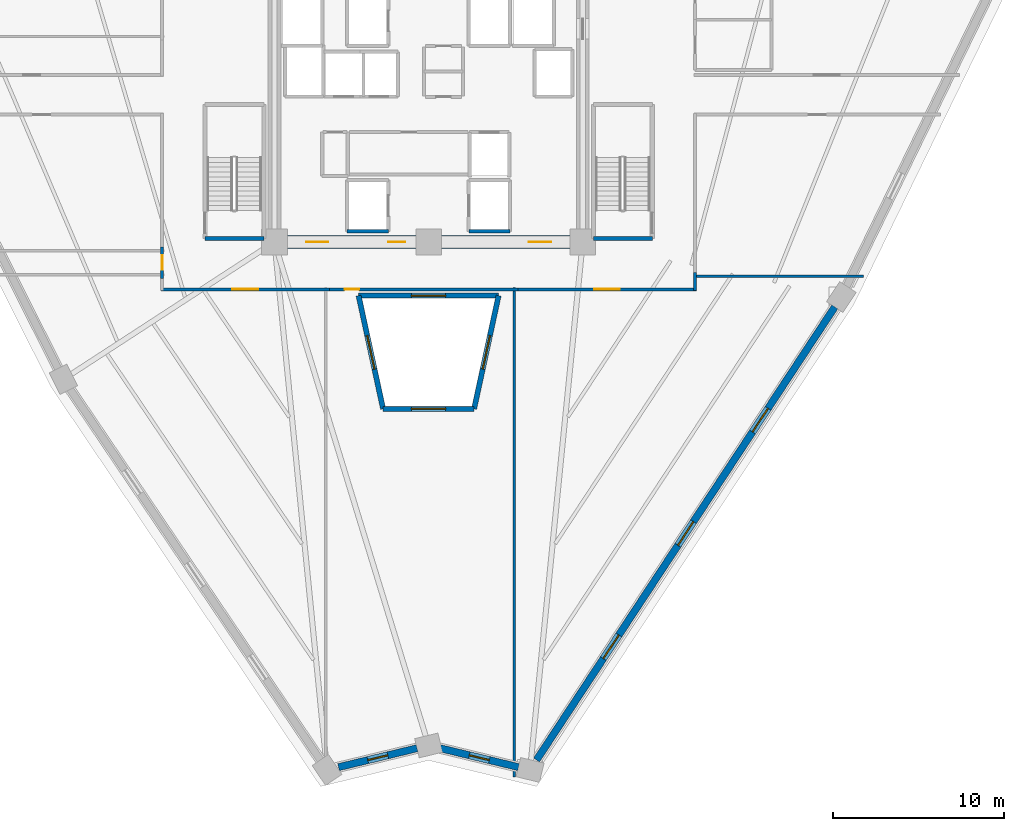
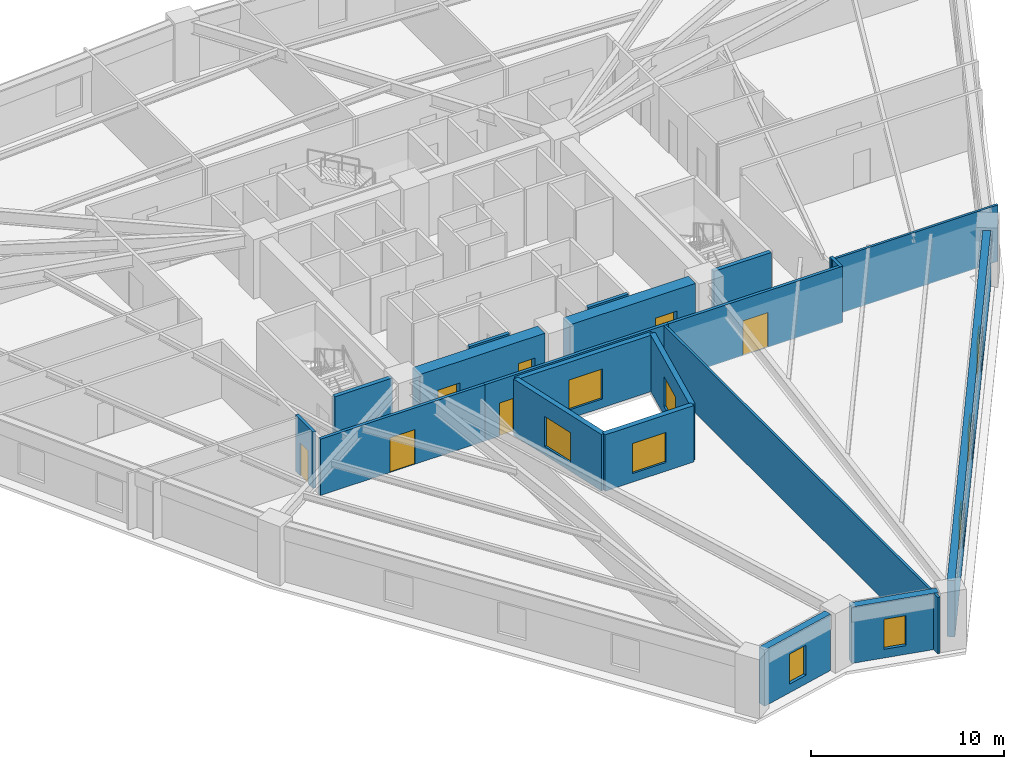
# One storey, part 3 of 10: 20 walls, 9 windows, 7 doors, 16 openings.
"""IFC4 building model written with IfcOpenShell, lengths in metres."""

from ifc_helpers import new_model, si_unit, direction, frame, frame_2d, origin, place, context, subcontext, project, spatial, rectangle, extrude, source, transform, mapped, material, layer, layer_set, type_object, element, fill, save


model = new_model("IFC4")

# Units and contexts
model_context = context("Model", 3, precision=1e-05, world=origin(), true_north=direction((0.0, 1.0)))
body_context = subcontext(model_context, "Body", "Model", "MODEL_VIEW")
ifc_project = project(units=[si_unit("LENGTHUNIT", "METRE"), si_unit("AREAUNIT", "SQUARE_METRE"), si_unit("VOLUMEUNIT", "CUBIC_METRE"), si_unit("PLANEANGLEUNIT", "RADIAN"), si_unit("MASSUNIT", "GRAM", prefix="KILO")], contexts=[model_context])

# Site, building, storey
site_placement = place(None, origin())
site = spatial("IfcSite", under=ifc_project, at=site_placement, CompositionType="ELEMENT")
building_placement = place(site_placement, origin())
building = spatial("IfcBuilding", under=site, at=building_placement, Name="Liaohun Quay Tower", CompositionType="ELEMENT")
storey_placement = place(building_placement, frame((0.0, 0.0, 124.5)))
storey = spatial("IfcBuildingStorey", under=building, at=storey_placement, Name="L32", CompositionType="ELEMENT", Elevation=124.5)

# Wall, opening, window
ifc_material_1 = material(Name="Concrete C50", Category="concrete")
ifc_layer_1 = layer(ifc_material_1, 0.300048828125, Name="Concrete C50", Category="concrete")
ifc_layer_set_1 = layer_set([ifc_layer_1], Name="Concrete C50")
wall_type_1 = type_object("IfcWallType", Name="WAL-ATR-300", PredefinedType="SOLIDWALL", material=ifc_layer_set_1)
wall_1_placement = place(storey_placement, frame((57.343017578125, 36.75390625, 0.0), z_axis=(0.0, 0.0, 1.0), x_axis=(-0.21138587267, 0.977402687144, 0.0)))
wall_1 = element("IfcWall", 1, at=wall_1_placement, inside=storey, type_object=wall_type_1, Name="L32 Atrium Fire Compartment Wall 1", PredefinedType="SOLIDWALL", context=body_context, shape_type="SweptSolid", body=[
    extrude(rectangle(XDim=6.769287109375, YDim=0.300048828125, at=frame_2d((3.384765625, 0.0))), origin(), (0.0, 0.0, 1.0), 3.570068359375),
])
shared_shape_1 = source(origin(), body_context, "Body", "SweptSolid", [
    extrude(rectangle(XDim=2.0, YDim=1.89990234375, at=frame_2d((1.0, 0.949951171875))), frame((0.0, 0.159912109375, 0.0), z_axis=(0.0, -1.0, 0.0), x_axis=(1.0, 0.0, 0.0)), (0.0, 0.0, 1.0), 0.320068359375),
])
opening_1_placement = place(wall_1_placement, frame((2.384033203125, 0.0, 0.550048828125)))
opening_1 = element("IfcOpeningElement", 2, at=opening_1_placement, cuts=wall_1, Name="Opening W07", PredefinedType="OPENING", context=body_context, shape_type="MappedRepresentation", body=[
    mapped(shared_shape_1, transform((0.0, 0.0, 0.0), x_axis=(1.0, 0.0, 0.0), y_axis=(0.0, 1.0, 0.0), z_axis=(0.0, 0.0, 1.0), scale=1.0)),
])
ifc_material_2 = material(Name="Class A 180-min fire-resistant insulated glazing", Category="glass")
window_type_1 = type_object("IfcWindowType", Name="WIN-ATR-FIR", PartitioningType="DOUBLE_PANEL_VERTICAL", PredefinedType="WINDOW", material=ifc_material_2)
shared_shape_2 = source(origin(), body_context, "Body", "SweptSolid", [
    extrude(rectangle(XDim=2.0, YDim=1.89990234375, at=frame_2d((1.0, 0.949951171875))), frame((0.0, 0.030029296875, 0.0), z_axis=(0.0, -1.0, 0.0), x_axis=(1.0, 0.0, 0.0)), (0.0, 0.0, 1.0), 0.06005859375),
])
window_1_placement = place(opening_1_placement, origin())
window_1 = element("IfcWindow", 3, at=window_1_placement, inside=storey, type_object=window_type_1, Name="L32 Atrium Fire-Resistant Glazing W07-1", OverallHeight=1.89990234375, OverallWidth=2.0, PartitioningType="DOUBLE_PANEL_VERTICAL", PredefinedType="WINDOW", context=body_context, shape_type="MappedRepresentation", body=[
    mapped(shared_shape_2, transform((0.0, 0.0, 0.0), x_axis=(1.0, 0.0, 0.0), y_axis=(0.0, 1.0, 0.0), z_axis=(0.0, 0.0, 1.0), scale=1.0)),
])
fill(opening_1, window_1)

wall_2_placement = place(storey_placement, frame((55.912109375, 43.3701171875, 0.0), z_axis=(0.0, 0.0, 1.0), x_axis=(1.0, 0.0, 0.0)))
wall_2 = element("IfcWall", 4, at=wall_2_placement, inside=storey, type_object=wall_type_1, Name="L32 Atrium Fire Compartment Wall 2", PredefinedType="SOLIDWALL", context=body_context, shape_type="SweptSolid", body=[
    extrude(rectangle(XDim=8.17578125, YDim=0.300048828125, at=frame_2d((4.087890625, 0.0))), origin(), (0.0, 0.0, 1.0), 3.570068359375),
])
opening_2_placement = place(wall_2_placement, frame((3.087890625, 0.0, 0.550048828125)))
opening_2 = element("IfcOpeningElement", 5, at=opening_2_placement, cuts=wall_2, Name="Opening W07", PredefinedType="OPENING", context=body_context, shape_type="MappedRepresentation", body=[
    mapped(shared_shape_1, transform((0.0, 0.0, 0.0), x_axis=(1.0, 0.0, 0.0), y_axis=(0.0, 1.0, 0.0), z_axis=(0.0, 0.0, 1.0), scale=1.0)),
])
window_2_placement = place(opening_2_placement, origin())
window_2 = element("IfcWindow", 6, at=window_2_placement, inside=storey, type_object=window_type_1, Name="L32 Atrium Fire-Resistant Glazing W07-2", OverallHeight=1.89990234375, OverallWidth=2.0, PartitioningType="DOUBLE_PANEL_VERTICAL", PredefinedType="WINDOW", context=body_context, shape_type="MappedRepresentation", body=[
    mapped(shared_shape_2, transform((0.0, 0.0, 0.0), x_axis=(1.0, 0.0, 0.0), y_axis=(0.0, 1.0, 0.0), z_axis=(0.0, 0.0, 1.0), scale=1.0)),
])
fill(opening_2, window_2)

wall_3_placement = place(storey_placement, frame((64.087890625, 43.3701171875, 0.0), z_axis=(0.0, 0.0, 1.0), x_axis=(-0.21138587267, -0.977402687144, 0.0)))
wall_3 = element("IfcWall", 7, at=wall_3_placement, inside=storey, type_object=wall_type_1, Name="L32 Atrium Fire Compartment Wall 3", PredefinedType="SOLIDWALL", context=body_context, shape_type="SweptSolid", body=[
    extrude(rectangle(XDim=6.769287109375, YDim=0.300048828125, at=frame_2d((3.384765625, 0.0))), origin(), (0.0, 0.0, 1.0), 3.570068359375),
])
opening_3_placement = place(wall_3_placement, frame((2.384033203125, 0.0, 0.550048828125)))
opening_3 = element("IfcOpeningElement", 8, at=opening_3_placement, cuts=wall_3, Name="Opening W07", PredefinedType="OPENING", context=body_context, shape_type="MappedRepresentation", body=[
    mapped(shared_shape_1, transform((0.0, 0.0, 0.0), x_axis=(1.0, 0.0, 0.0), y_axis=(0.0, 1.0, 0.0), z_axis=(0.0, 0.0, 1.0), scale=1.0)),
])
window_3_placement = place(opening_3_placement, origin())
window_3 = element("IfcWindow", 9, at=window_3_placement, inside=storey, type_object=window_type_1, Name="L32 Atrium Fire-Resistant Glazing W07-3", OverallHeight=1.89990234375, OverallWidth=2.0, PartitioningType="DOUBLE_PANEL_VERTICAL", PredefinedType="WINDOW", context=body_context, shape_type="MappedRepresentation", body=[
    mapped(shared_shape_2, transform((0.0, 0.0, 0.0), x_axis=(1.0, 0.0, 0.0), y_axis=(0.0, 1.0, 0.0), z_axis=(0.0, 0.0, 1.0), scale=1.0)),
])
fill(opening_3, window_3)

wall_4_placement = place(storey_placement, frame((62.656982421875, 36.75390625, 0.0), z_axis=(0.0, 0.0, 1.0), x_axis=(-1.0, 0.0, 0.0)))
wall_4 = element("IfcWall", 10, at=wall_4_placement, inside=storey, type_object=wall_type_1, Name="L32 Atrium Fire Compartment Wall 4", PredefinedType="SOLIDWALL", context=body_context, shape_type="SweptSolid", body=[
    extrude(rectangle(XDim=5.31396484375, YDim=0.300048828125, at=frame_2d((2.656982421875, 0.0))), origin(), (0.0, 0.0, 1.0), 3.570068359375),
])
opening_4_placement = place(wall_4_placement, frame((1.656982421875, 0.0, 0.550048828125)))
opening_4 = element("IfcOpeningElement", 11, at=opening_4_placement, cuts=wall_4, Name="Opening W07", PredefinedType="OPENING", context=body_context, shape_type="MappedRepresentation", body=[
    mapped(shared_shape_1, transform((0.0, 0.0, 0.0), x_axis=(1.0, 0.0, 0.0), y_axis=(0.0, 1.0, 0.0), z_axis=(0.0, 0.0, 1.0), scale=1.0)),
])
window_4_placement = place(opening_4_placement, origin())
window_4 = element("IfcWindow", 12, at=window_4_placement, inside=storey, type_object=window_type_1, Name="L32 Atrium Fire-Resistant Glazing W07-4", OverallHeight=1.89990234375, OverallWidth=2.0, PartitioningType="DOUBLE_PANEL_VERTICAL", PredefinedType="WINDOW", context=body_context, shape_type="MappedRepresentation", body=[
    mapped(shared_shape_2, transform((0.0, 0.0, 0.0), x_axis=(1.0, 0.0, 0.0), y_axis=(0.0, 1.0, 0.0), z_axis=(0.0, 0.0, 1.0), scale=1.0)),
])
fill(opening_4, window_4)

# Wall, opening, door
ifc_material_3 = material(Name="Concrete C60", Category="concrete")
ifc_layer_2 = layer(ifc_material_3, 0.75, Name="Concrete C60", Category="concrete")
ifc_layer_set_2 = layer_set([ifc_layer_2], Name="Concrete C60")
wall_type_2 = type_object("IfcWallType", Name="WAL-COR-Z2", PredefinedType="SHEAR", material=ifc_layer_set_2)
wall_5_placement = place(storey_placement, frame((68.25, 46.5, 0.0), z_axis=(0.0, 0.0, 1.0), x_axis=(-1.0, 0.0, 0.0)))
wall_5 = element("IfcWall", 13, at=wall_5_placement, inside=storey, type_object=wall_type_2, Name="L32 Central Core Shear Wall S-E", PredefinedType="SHEAR", context=body_context, shape_type="SweptSolid", body=[
    extrude(rectangle(XDim=7.5, YDim=0.75, at=frame_2d((3.75, 0.0))), origin(), (0.0, 0.0, 1.0), 3.570068359375),
])
shared_shape_3 = source(origin(), body_context, "Body", "SweptSolid", [
    extrude(rectangle(XDim=1.300048828125, YDim=2.199951171875, at=frame_2d((0.64990234375, 1.10009765625))), frame((0.0, 0.385009765625, 0.0), z_axis=(0.0, -1.0, 0.0), x_axis=(1.0, 0.0, 0.0)), (0.0, 0.0, 1.0), 0.77001953125),
])
opening_5_placement = place(wall_5_placement, frame((1.10009765625, 0.0, 0.0)))
opening_5 = element("IfcOpeningElement", 14, at=opening_5_placement, cuts=wall_5, Name="Opening FD1", PredefinedType="OPENING", context=body_context, shape_type="MappedRepresentation", body=[
    mapped(shared_shape_3, transform((0.0, 0.0, 0.0), x_axis=(1.0, 0.0, 0.0), y_axis=(0.0, 1.0, 0.0), z_axis=(0.0, 0.0, 1.0), scale=1.0)),
])
ifc_material_4 = material(Name="Galvanised steel smokeproof fire door", Category="steel")
door_type_1 = type_object("IfcDoorType", Name="DOR-FFL-1300", OperationType="NOTDEFINED", PredefinedType="DOOR", material=ifc_material_4)
shared_shape_4 = source(origin(), body_context, "Body", "SweptSolid", [
    extrude(rectangle(XDim=1.300048828125, YDim=2.199951171875, at=frame_2d((0.64990234375, 1.10009765625))), frame((0.0, 0.02490234375, 0.0), z_axis=(0.0, -1.0, 0.0), x_axis=(1.0, 0.0, 0.0)), (0.0, 0.0, 1.0), 0.050048828125),
])
door_1_placement = place(opening_5_placement, origin())
door_1 = element("IfcDoor", 15, at=door_1_placement, inside=storey, type_object=door_type_1, Name="L32 East Core Lift Lobby Smokeproof Door", OperationType="SINGLE_SWING_LEFT", OverallHeight=2.199951171875, OverallWidth=1.300048828125, PredefinedType="DOOR", context=body_context, shape_type="MappedRepresentation", body=[
    mapped(shared_shape_4, transform((0.0, 0.0, 0.0), x_axis=(1.0, 0.0, 0.0), y_axis=(0.0, 1.0, 0.0), z_axis=(0.0, 0.0, 1.0), scale=1.0)),
])
fill(opening_5, door_1)

# Wall, openings, doors
wall_6_placement = place(storey_placement, frame((59.25, 46.5, 0.0), z_axis=(0.0, 0.0, 1.0), x_axis=(-1.0, 0.0, 0.0)))
wall_6 = element("IfcWall", 16, at=wall_6_placement, inside=storey, type_object=wall_type_2, Name="L32 Central Core Shear Wall S-W", PredefinedType="SHEAR", context=body_context, shape_type="SweptSolid", body=[
    extrude(rectangle(XDim=7.5, YDim=0.75, at=frame_2d((3.75, 0.0))), origin(), (0.0, 0.0, 1.0), 3.570068359375),
])
opening_6_placement = place(wall_6_placement, frame((5.10009765625, 0.0, 0.0)))
opening_6 = element("IfcOpeningElement", 17, at=opening_6_placement, cuts=wall_6, Name="Opening FD1", PredefinedType="OPENING", context=body_context, shape_type="MappedRepresentation", body=[
    mapped(shared_shape_3, transform((0.0, 0.0, 0.0), x_axis=(1.0, 0.0, 0.0), y_axis=(0.0, 1.0, 0.0), z_axis=(0.0, 0.0, 1.0), scale=1.0)),
])
shared_shape_5 = source(origin(), body_context, "Body", "SweptSolid", [
    extrude(rectangle(XDim=1.0, YDim=2.199951171875, at=frame_2d((0.5, 1.10009765625))), frame((0.0, 0.385009765625, 0.0), z_axis=(0.0, -1.0, 0.0), x_axis=(1.0, 0.0, 0.0)), (0.0, 0.0, 1.0), 0.77001953125),
])
opening_7_placement = place(wall_6_placement, frame((0.60009765625, 0.0, 0.0)))
opening_7 = element("IfcOpeningElement", 18, at=opening_7_placement, cuts=wall_6, Name="Opening FD2", PredefinedType="OPENING", context=body_context, shape_type="MappedRepresentation", body=[
    mapped(shared_shape_5, transform((0.0, 0.0, 0.0), x_axis=(1.0, 0.0, 0.0), y_axis=(0.0, 1.0, 0.0), z_axis=(0.0, 0.0, 1.0), scale=1.0)),
])
door_2_placement = place(opening_6_placement, origin())
door_2 = element("IfcDoor", 19, at=door_2_placement, inside=storey, type_object=door_type_1, Name="L32 West Core Lift Lobby Smokeproof Door", OperationType="SINGLE_SWING_RIGHT", OverallHeight=2.199951171875, OverallWidth=1.300048828125, PredefinedType="DOOR", context=body_context, shape_type="MappedRepresentation", body=[
    mapped(shared_shape_4, transform((0.0, 0.0, 0.0), x_axis=(1.0, 0.0, 0.0), y_axis=(0.0, 1.0, 0.0), z_axis=(0.0, 0.0, 1.0), scale=1.0)),
])
fill(opening_6, door_2)
ifc_material_5 = material(Name="Galvanised steel smokeproof lobby fire door", Category="steel")
door_type_2 = type_object("IfcDoorType", Name="DOR-FFL-1000", OperationType="NOTDEFINED", PredefinedType="DOOR", material=ifc_material_5)
shared_shape_6 = source(origin(), body_context, "Body", "SweptSolid", [
    extrude(rectangle(XDim=1.0, YDim=2.199951171875, at=frame_2d((0.5, 1.10009765625))), frame((0.0, 0.02490234375, 0.0), z_axis=(0.0, -1.0, 0.0), x_axis=(1.0, 0.0, 0.0)), (0.0, 0.0, 1.0), 0.050048828125),
])
door_3_placement = place(opening_7_placement, origin())
door_3 = element("IfcDoor", 20, at=door_3_placement, inside=storey, type_object=door_type_2, Name="L32 South Firefighting Lobby Smokeproof Door", OperationType="SINGLE_SWING_LEFT", OverallHeight=2.199951171875, OverallWidth=1.0, PredefinedType="DOOR", context=body_context, shape_type="MappedRepresentation", body=[
    mapped(shared_shape_6, transform((0.0, 0.0, 0.0), x_axis=(1.0, 0.0, 0.0), y_axis=(0.0, 1.0, 0.0), z_axis=(0.0, 0.0, 1.0), scale=1.0)),
])
fill(opening_7, door_3)

# Wall, opening, window
ifc_material_6 = material(Name="Precast concrete C50 insulated sandwich", Category="concrete")
ifc_layer_3 = layer(ifc_material_6, 0.419921875, Name="Precast concrete C50 insulated sandwich", Category="concrete")
ifc_layer_set_3 = layer_set([ifc_layer_3], Name="Precast concrete C50 insulated sandwich")
wall_type_3 = type_object("IfcWallType", Name="WAL-EXT-Z12", PredefinedType="SOLIDWALL", material=ifc_layer_set_3)
wall_7_placement = place(storey_placement, frame((60.6708984375, 16.945068359375, 0.0), z_axis=(0.0, 0.0, 1.0), x_axis=(0.972084652769, -0.234630406918, 0.0)))
wall_7 = element("IfcWall", 21, at=wall_7_placement, inside=storey, type_object=wall_type_3, Name="L32 Brutalist Precast Pier Wall 01", PredefinedType="SOLIDWALL", context=body_context, shape_type="SweptSolid", body=[
    extrude(rectangle(XDim=4.713623046875, YDim=0.419921875, at=frame_2d((2.35693359375, 0.0))), origin(), (0.0, 0.0, 1.0), 3.570068359375),
])
shared_shape_7 = source(origin(), body_context, "Body", "SweptSolid", [
    extrude(rectangle(XDim=1.199951171875, YDim=1.89990234375, at=frame_2d((0.60009765625, 0.949951171875))), frame((0.0, 0.219970703125, 0.0), z_axis=(0.0, -1.0, 0.0), x_axis=(1.0, 0.0, 0.0)), (0.0, 0.0, 1.0), 0.43994140625),
])
opening_8_placement = place(wall_7_placement, frame((1.757080078125, 0.0, 0.550048828125)))
opening_8 = element("IfcOpeningElement", 22, at=opening_8_placement, cuts=wall_7, Name="Opening W05", PredefinedType="OPENING", context=body_context, shape_type="MappedRepresentation", body=[
    mapped(shared_shape_7, transform((0.0, 0.0, 0.0), x_axis=(1.0, 0.0, 0.0), y_axis=(0.0, 1.0, 0.0), z_axis=(0.0, 0.0, 1.0), scale=1.0)),
])
ifc_material_7 = material(Name="Triple Low-E corner notch glazing", Category="glass")
window_type_2 = type_object("IfcWindowType", Name="WIN-NOTCH", PartitioningType="SINGLE_PANEL", PredefinedType="WINDOW", material=ifc_material_7)
shared_shape_8 = source(origin(), body_context, "Body", "SweptSolid", [
    extrude(rectangle(XDim=1.199951171875, YDim=1.89990234375, at=frame_2d((0.60009765625, 0.949951171875))), frame((0.0, 0.030029296875, 0.0), z_axis=(0.0, -1.0, 0.0), x_axis=(1.0, 0.0, 0.0)), (0.0, 0.0, 1.0), 0.06005859375),
])
window_5_placement = place(opening_8_placement, origin())
window_5 = element("IfcWindow", 23, at=window_5_placement, inside=storey, type_object=window_type_2, Name="L32 Corner Notch Window W05-01", OverallHeight=1.89990234375, OverallWidth=1.199951171875, PartitioningType="SINGLE_PANEL", PredefinedType="WINDOW", context=body_context, shape_type="MappedRepresentation", body=[
    mapped(shared_shape_8, transform((0.0, 0.0, 0.0), x_axis=(1.0, 0.0, 0.0), y_axis=(0.0, 1.0, 0.0), z_axis=(0.0, 0.0, 1.0), scale=1.0)),
])
fill(opening_8, window_5)

# Wall, openings, windows
wall_8_placement = place(storey_placement, frame((66.302978515625, 16.2529296875, 0.0), z_axis=(0.0, 0.0, 1.0), x_axis=(0.549799789037, 0.835296469509, 0.0)))
wall_8 = element("IfcWall", 24, at=wall_8_placement, inside=storey, type_object=wall_type_3, Name="L32 Brutalist Precast Pier Wall 02", PredefinedType="SOLIDWALL", context=body_context, shape_type="SweptSolid", body=[
    extrude(rectangle(XDim=31.6787109375, YDim=0.419921875, at=frame_2d((15.83935546875, 0.0))), origin(), (0.0, 0.0, 1.0), 3.570068359375),
])
shared_shape_9 = source(origin(), body_context, "Body", "SweptSolid", [
    extrude(rectangle(XDim=1.64990234375, YDim=1.949951171875, at=frame_2d((0.824951171875, 0.97509765625))), frame((0.0, 0.219970703125, 0.0), z_axis=(0.0, -1.0, 0.0), x_axis=(1.0, 0.0, 0.0)), (0.0, 0.0, 1.0), 0.43994140625),
])
opening_9_placement = place(wall_8_placement, frame((7.094970703125, 0.0, 0.550048828125)))
opening_9 = element("IfcOpeningElement", 25, at=opening_9_placement, cuts=wall_8, Name="Opening W02", PredefinedType="OPENING", context=body_context, shape_type="MappedRepresentation", body=[
    mapped(shared_shape_9, transform((0.0, 0.0, 0.0), x_axis=(1.0, 0.0, 0.0), y_axis=(0.0, 1.0, 0.0), z_axis=(0.0, 0.0, 1.0), scale=1.0)),
])
opening_10_placement = place(wall_8_placement, frame((15.013916015625, 0.0, 0.550048828125)))
opening_10 = element("IfcOpeningElement", 26, at=opening_10_placement, cuts=wall_8, Name="Opening W02", PredefinedType="OPENING", context=body_context, shape_type="MappedRepresentation", body=[
    mapped(shared_shape_9, transform((0.0, 0.0, 0.0), x_axis=(1.0, 0.0, 0.0), y_axis=(0.0, 1.0, 0.0), z_axis=(0.0, 0.0, 1.0), scale=1.0)),
])
opening_11_placement = place(wall_8_placement, frame((22.93408203125, 0.0, 0.550048828125)))
opening_11 = element("IfcOpeningElement", 27, at=opening_11_placement, cuts=wall_8, Name="Opening W02", PredefinedType="OPENING", context=body_context, shape_type="MappedRepresentation", body=[
    mapped(shared_shape_9, transform((0.0, 0.0, 0.0), x_axis=(1.0, 0.0, 0.0), y_axis=(0.0, 1.0, 0.0), z_axis=(0.0, 0.0, 1.0), scale=1.0)),
])
ifc_material_8 = material(Name="Triple Low-E argon glazing in thermally broken aluminium", Category="aluminium")
window_type_3 = type_object("IfcWindowType", Name="WIN-PUN-Z2", PartitioningType="DOUBLE_PANEL_VERTICAL", PredefinedType="WINDOW", material=ifc_material_8)
shared_shape_10 = source(origin(), body_context, "Body", "SweptSolid", [
    extrude(rectangle(XDim=1.64990234375, YDim=1.949951171875, at=frame_2d((0.824951171875, 0.97509765625))), frame((0.0, 0.030029296875, 0.0), z_axis=(0.0, -1.0, 0.0), x_axis=(1.0, 0.0, 0.0)), (0.0, 0.0, 1.0), 0.06005859375),
])
window_6_placement = place(opening_9_placement, origin())
window_6 = element("IfcWindow", 28, at=window_6_placement, inside=storey, type_object=window_type_3, Name="L32 Recessed Cold-Climate Punched Window 02-1", OverallHeight=1.949951171875, OverallWidth=1.64990234375, PartitioningType="DOUBLE_PANEL_VERTICAL", PredefinedType="WINDOW", context=body_context, shape_type="MappedRepresentation", body=[
    mapped(shared_shape_10, transform((0.0, 0.0, 0.0), x_axis=(1.0, 0.0, 0.0), y_axis=(0.0, 1.0, 0.0), z_axis=(0.0, 0.0, 1.0), scale=1.0)),
])
fill(opening_9, window_6)
window_7_placement = place(opening_10_placement, origin())
window_7 = element("IfcWindow", 29, at=window_7_placement, inside=storey, type_object=window_type_3, Name="L32 Recessed Cold-Climate Punched Window 02-2", OverallHeight=1.949951171875, OverallWidth=1.64990234375, PartitioningType="DOUBLE_PANEL_VERTICAL", PredefinedType="WINDOW", context=body_context, shape_type="MappedRepresentation", body=[
    mapped(shared_shape_10, transform((0.0, 0.0, 0.0), x_axis=(1.0, 0.0, 0.0), y_axis=(0.0, 1.0, 0.0), z_axis=(0.0, 0.0, 1.0), scale=1.0)),
])
fill(opening_10, window_7)
window_8_placement = place(opening_11_placement, origin())
window_8 = element("IfcWindow", 30, at=window_8_placement, inside=storey, type_object=window_type_3, Name="L32 Recessed Cold-Climate Punched Window 02-3", OverallHeight=1.949951171875, OverallWidth=1.64990234375, PartitioningType="DOUBLE_PANEL_VERTICAL", PredefinedType="WINDOW", context=body_context, shape_type="MappedRepresentation", body=[
    mapped(shared_shape_10, transform((0.0, 0.0, 0.0), x_axis=(1.0, 0.0, 0.0), y_axis=(0.0, 1.0, 0.0), z_axis=(0.0, 0.0, 1.0), scale=1.0)),
])
fill(opening_11, window_8)

# Wall, opening, window
wall_9_placement = place(storey_placement, frame((54.739990234375, 15.8369140625, 0.0), z_axis=(0.0, 0.0, 1.0), x_axis=(0.972061054332, 0.234728154791, 0.0)))
wall_9 = element("IfcWall", 31, at=wall_9_placement, inside=storey, type_object=wall_type_3, Name="L32 Brutalist Precast Pier Wall 12", PredefinedType="SOLIDWALL", context=body_context, shape_type="SweptSolid", body=[
    extrude(rectangle(XDim=4.720947265625, YDim=0.419921875, at=frame_2d((2.3603515625, 0.0))), origin(), (0.0, 0.0, 1.0), 3.570068359375),
])
opening_12_placement = place(wall_9_placement, frame((1.760009765625, 0.0, 0.550048828125)))
opening_12 = element("IfcOpeningElement", 32, at=opening_12_placement, cuts=wall_9, Name="Opening W05", PredefinedType="OPENING", context=body_context, shape_type="MappedRepresentation", body=[
    mapped(shared_shape_7, transform((0.0, 0.0, 0.0), x_axis=(1.0, 0.0, 0.0), y_axis=(0.0, 1.0, 0.0), z_axis=(0.0, 0.0, 1.0), scale=1.0)),
])
window_9_placement = place(opening_12_placement, origin())
window_9 = element("IfcWindow", 33, at=window_9_placement, inside=storey, type_object=window_type_2, Name="L32 Corner Notch Window W05-12", OverallHeight=1.89990234375, OverallWidth=1.199951171875, PartitioningType="SINGLE_PANEL", PredefinedType="WINDOW", context=body_context, shape_type="MappedRepresentation", body=[
    mapped(shared_shape_8, transform((0.0, 0.0, 0.0), x_axis=(1.0, 0.0, 0.0), y_axis=(0.0, 1.0, 0.0), z_axis=(0.0, 0.0, 1.0), scale=1.0)),
])
fill(opening_12, window_9)

# Wall, opening, door
ifc_material_9 = material(Name="Autoclaved aerated concrete blockwork", Category="masonry")
ifc_layer_4 = layer(ifc_material_9, 0.179931640625, Name="Autoclaved aerated concrete blockwork", Category="masonry")
ifc_layer_set_4 = layer_set([ifc_layer_4], Name="Autoclaved aerated concrete blockwork")
wall_type_4 = type_object("IfcWallType", Name="WAL-PRT-COR", PredefinedType="PARTITIONING", material=ifc_layer_set_4)
wall_10_placement = place(storey_placement, frame((44.43994140625, 44.385009765625, 0.0), z_axis=(0.0, 0.0, 1.0), x_axis=(0.0, 1.0, 0.0)))
wall_10 = element("IfcWall", 34, at=wall_10_placement, inside=storey, type_object=wall_type_4, Name="L32 Interior Partition Wall 023", PredefinedType="PARTITIONING", context=body_context, shape_type="SweptSolid", body=[
    extrude(rectangle(XDim=1.830078125, YDim=0.179931640625, at=frame_2d((0.9150390625, 0.0))), origin(), (0.0, 0.0, 1.0), 3.570068359375),
])
shared_shape_11 = source(origin(), body_context, "Body", "SweptSolid", [
    extrude(rectangle(XDim=0.85009765625, YDim=2.10009765625, at=frame_2d((0.425048828125, 1.050048828125))), frame((0.0, 0.099853515625, 0.0), z_axis=(0.0, -1.0, 0.0), x_axis=(1.0, 0.0, 0.0)), (0.0, 0.0, 1.0), 0.199951171875),
])
opening_13_placement = place(wall_10_placement, frame((0.489990234375, 0.0, 0.0)))
opening_13 = element("IfcOpeningElement", 35, at=opening_13_placement, cuts=wall_10, Name="Opening AD1", PredefinedType="OPENING", context=body_context, shape_type="MappedRepresentation", body=[
    mapped(shared_shape_11, transform((0.0, 0.0, 0.0), x_axis=(1.0, 0.0, 0.0), y_axis=(0.0, 1.0, 0.0), z_axis=(0.0, 0.0, 1.0), scale=1.0)),
])
ifc_material_10 = material(Name="Steel riser inspection fire door", Category="steel")
door_type_3 = type_object("IfcDoorType", Name="DOR-SHF-850", OperationType="NOTDEFINED", PredefinedType="DOOR", material=ifc_material_10)
shared_shape_12 = source(origin(), body_context, "Body", "SweptSolid", [
    extrude(rectangle(XDim=0.85009765625, YDim=2.10009765625, at=frame_2d((0.425048828125, 1.050048828125))), frame((0.0, 0.02490234375, 0.0), z_axis=(0.0, -1.0, 0.0), x_axis=(1.0, 0.0, 0.0)), (0.0, 0.0, 1.0), 0.050048828125),
])
door_4_placement = place(opening_13_placement, origin())
door_4 = element("IfcDoor", 36, at=door_4_placement, inside=storey, type_object=door_type_3, Name="L32 Records Archive Store 09 Door", OperationType="SINGLE_SWING_RIGHT", OverallHeight=2.10009765625, OverallWidth=0.85009765625, PredefinedType="DOOR", context=body_context, shape_type="MappedRepresentation", body=[
    mapped(shared_shape_12, transform((0.0, 0.0, 0.0), x_axis=(1.0, 0.0, 0.0), y_axis=(0.0, 1.0, 0.0), z_axis=(0.0, 0.0, 1.0), scale=1.0)),
])
fill(opening_13, door_4)

wall_11_placement = place(storey_placement, frame((54.215087890625, 43.739990234375, 0.0), z_axis=(0.0, 0.0, 1.0), x_axis=(-1.0, 0.0, 0.0)))
wall_11 = element("IfcWall", 37, at=wall_11_placement, inside=storey, type_object=wall_type_4, Name="L32 Interior Partition Wall 024", PredefinedType="PARTITIONING", context=body_context, shape_type="SweptSolid", body=[
    extrude(rectangle(XDim=9.844970703125, YDim=0.179931640625, at=frame_2d((4.92236328125, 0.0))), origin(), (0.0, 0.0, 1.0), 3.570068359375),
])
shared_shape_13 = source(origin(), body_context, "Body", "SweptSolid", [
    extrude(rectangle(XDim=1.5, YDim=2.199951171875, at=frame_2d((0.75, 1.10009765625))), frame((0.0, 0.099853515625, 0.0), z_axis=(0.0, -1.0, 0.0), x_axis=(1.0, 0.0, 0.0)), (0.0, 0.0, 1.0), 0.199951171875),
])
opening_14_placement = place(wall_11_placement, frame((4.173095703125, 0.0, 0.0)))
opening_14 = element("IfcOpeningElement", 38, at=opening_14_placement, cuts=wall_11, Name="Opening OD2", PredefinedType="OPENING", context=body_context, shape_type="MappedRepresentation", body=[
    mapped(shared_shape_13, transform((0.0, 0.0, 0.0), x_axis=(1.0, 0.0, 0.0), y_axis=(0.0, 1.0, 0.0), z_axis=(0.0, 0.0, 1.0), scale=1.0)),
])
ifc_material_11 = material(Name="Acoustic oak veneer double door")
door_type_4 = type_object("IfcDoorType", Name="DOR-OFF-1500", OperationType="DOUBLE_DOOR_SINGLE_SWING", PredefinedType="DOOR", material=ifc_material_11)
shared_shape_14 = source(origin(), body_context, "Body", "SweptSolid", [
    extrude(rectangle(XDim=1.5, YDim=2.199951171875, at=frame_2d((0.75, 1.10009765625))), frame((0.0, 0.02490234375, 0.0), z_axis=(0.0, -1.0, 0.0), x_axis=(1.0, 0.0, 0.0)), (0.0, 0.0, 1.0), 0.050048828125),
])
door_5_placement = place(opening_14_placement, origin())
door_5 = element("IfcDoor", 39, at=door_5_placement, inside=storey, type_object=door_type_4, Name="L32 Open-Plan Office Workplace 10 Door", OperationType="DOUBLE_DOOR_SINGLE_SWING", OverallHeight=2.199951171875, OverallWidth=1.5, PredefinedType="DOOR", context=body_context, shape_type="MappedRepresentation", body=[
    mapped(shared_shape_14, transform((0.0, 0.0, 0.0), x_axis=(1.0, 0.0, 0.0), y_axis=(0.0, 1.0, 0.0), z_axis=(0.0, 0.0, 1.0), scale=1.0)),
])
fill(opening_14, door_5)

wall_12_placement = place(storey_placement, frame((65.215087890625, 43.739990234375, 0.0), z_axis=(0.0, 0.0, 1.0), x_axis=(-1.0, 0.0, 0.0)))
wall_12 = element("IfcWall", 40, at=wall_12_placement, inside=storey, type_object=wall_type_4, Name="L32 Interior Partition Wall 025", PredefinedType="PARTITIONING", context=body_context, shape_type="SweptSolid", body=[
    extrude(rectangle(XDim=11.0, YDim=0.179931640625, at=frame_2d((5.5, 0.0))), origin(), (0.0, 0.0, 1.0), 3.570068359375),
])
opening_15_placement = place(wall_12_placement, frame((9.27490234375, 0.0, 0.0)))
opening_15 = element("IfcOpeningElement", 41, at=opening_15_placement, cuts=wall_12, Name="Opening AD1", PredefinedType="OPENING", context=body_context, shape_type="MappedRepresentation", body=[
    mapped(shared_shape_11, transform((0.0, 0.0, 0.0), x_axis=(1.0, 0.0, 0.0), y_axis=(0.0, 1.0, 0.0), z_axis=(0.0, 0.0, 1.0), scale=1.0)),
])
door_6_placement = place(opening_15_placement, origin())
door_6 = element("IfcDoor", 42, at=door_6_placement, inside=storey, type_object=door_type_3, Name="L32 Executive Partner Office 11 Door", OperationType="SINGLE_SWING_RIGHT", OverallHeight=2.10009765625, OverallWidth=0.85009765625, PredefinedType="DOOR", context=body_context, shape_type="MappedRepresentation", body=[
    mapped(shared_shape_12, transform((0.0, 0.0, 0.0), x_axis=(1.0, 0.0, 0.0), y_axis=(0.0, 1.0, 0.0), z_axis=(0.0, 0.0, 1.0), scale=1.0)),
])
fill(opening_15, door_6)

wall_13_placement = place(storey_placement, frame((75.6298828125, 43.739990234375, 0.0), z_axis=(0.0, 0.0, 1.0), x_axis=(-1.0, 0.0, 0.0)))
wall_13 = element("IfcWall", 43, at=wall_13_placement, inside=storey, type_object=wall_type_4, Name="L32 Interior Partition Wall 026", PredefinedType="PARTITIONING", context=body_context, shape_type="SweptSolid", body=[
    extrude(rectangle(XDim=10.414794921875, YDim=0.179931640625, at=frame_2d((5.20751953125, 0.0))), origin(), (0.0, 0.0, 1.0), 3.570068359375),
])
opening_16_placement = place(wall_13_placement, frame((4.45703125, 0.0, 0.0)))
opening_16 = element("IfcOpeningElement", 44, at=opening_16_placement, cuts=wall_13, Name="Opening OD2", PredefinedType="OPENING", context=body_context, shape_type="MappedRepresentation", body=[
    mapped(shared_shape_13, transform((0.0, 0.0, 0.0), x_axis=(1.0, 0.0, 0.0), y_axis=(0.0, 1.0, 0.0), z_axis=(0.0, 0.0, 1.0), scale=1.0)),
])
door_7_placement = place(opening_16_placement, origin())
door_7 = element("IfcDoor", 45, at=door_7_placement, inside=storey, type_object=door_type_4, Name="L32 Client Reception Office 12 Door", OperationType="DOUBLE_DOOR_SINGLE_SWING", OverallHeight=2.199951171875, OverallWidth=1.5, PredefinedType="DOOR", context=body_context, shape_type="MappedRepresentation", body=[
    mapped(shared_shape_14, transform((0.0, 0.0, 0.0), x_axis=(1.0, 0.0, 0.0), y_axis=(0.0, 1.0, 0.0), z_axis=(0.0, 0.0, 1.0), scale=1.0)),
])
fill(opening_16, door_7)

# Walls
wall_14_placement = place(storey_placement, frame((75.56005859375, 44.715087890625, 0.0), z_axis=(0.0, 0.0, 1.0), x_axis=(0.0, -1.0, 0.0)))
element("IfcWall", 46, at=wall_14_placement, inside=storey, type_object=wall_type_4, Name="L32 Interior Partition Wall 050", PredefinedType="PARTITIONING", context=body_context, shape_type="SweptSolid", body=[
    extrude(rectangle(XDim=1.045166015625, YDim=0.179931640625, at=frame_2d((0.5224609375, 0.0))), origin(), (0.0, 0.0, 1.0), 3.570068359375),
])
ifc_material_12 = material(Name="Gypsum board on twin steel studs", Category="steel")
ifc_layer_5 = layer(ifc_material_12, 0.139892578125, Name="Gypsum board on twin steel studs", Category="steel")
ifc_layer_set_5 = layer_set([ifc_layer_5], Name="Gypsum board on twin steel studs")
wall_type_5 = type_object("IfcWallType", Name="WAL-PRT-OFF", PredefinedType="PARTITIONING", material=ifc_layer_set_5)
wall_15_placement = place(storey_placement, frame((75.4599609375, 44.5, 0.0), z_axis=(0.0, 0.0, 1.0), x_axis=(1.0, 0.0, 0.0)))
element("IfcWall", 47, at=wall_15_placement, inside=storey, type_object=wall_type_5, Name="L32 Interior Partition Wall 056", PredefinedType="PARTITIONING", context=body_context, shape_type="SweptSolid", body=[
    extrude(rectangle(XDim=9.929931640625, YDim=0.139892578125, at=frame_2d((4.96484375, 0.0))), origin(), (0.0, 0.0, 1.0), 3.570068359375),
])
wall_16_placement = place(storey_placement, frame((65.0, 43.840087890625, 0.0), z_axis=(0.0, 0.0, 1.0), x_axis=(0.0, -1.0, 0.0)))
element("IfcWall", 48, at=wall_16_placement, inside=storey, type_object=wall_type_5, Name="L32 Interior Partition Wall 062", PredefinedType="PARTITIONING", context=body_context, shape_type="SweptSolid", body=[
    extrude(rectangle(XDim=28.588134765625, YDim=0.139892578125, at=frame_2d((14.2939453125, 0.0))), origin(), (0.0, 0.0, 1.0), 3.570068359375),
])
ifc_layer_6 = layer(ifc_material_1, 0.239990234375, Name="Concrete C50", Category="concrete")
ifc_layer_set_6 = layer_set([ifc_layer_6], Name="Concrete C50")
wall_type_6 = type_object("IfcWallType", Name="WAL-SHF-200", PredefinedType="SOLIDWALL", material=ifc_layer_set_6)
for number, where, z_axis, x_axis, name in (
    (49, (46.93994140625, 46.699951171875, 0.0), (0.0, 0.0, 1.0), (1.0, 0.0, 0.0), "L32 Stairwell ST-1 Structural Core Wall S"),
    (50, (69.6201171875, 46.699951171875, 0.0), (0.0, 0.0, 1.0), (1.0, 0.0, 0.0), "L32 Stairwell ST-2 Structural Core Wall S"),
):
    element("IfcWall", number, at=place(storey_placement, frame(where, z_axis=z_axis, x_axis=x_axis)), inside=storey, type_object=wall_type_6, Name=name, PredefinedType="SOLIDWALL", context=body_context, shape_type="SweptSolid", body=[
        extrude(rectangle(XDim=3.43994140625, YDim=0.239990234375, at=frame_2d((1.719970703125, 0.0))), origin(), (0.0, 0.0, 1.0), 3.570068359375),
    ])
for number, where, z_axis, x_axis, name in (
    (51, (55.25, 47.1201171875, 0.0), (0.0, 0.0, 1.0), (1.0, 0.0, 0.0), "L32 Lift FF-01 Hoistway Wall S"),
    (52, (62.35009765625, 47.1201171875, 0.0), (0.0, 0.0, 1.0), (1.0, 0.0, 0.0), "L32 Lift FF-02 Hoistway Wall S"),
):
    element("IfcWall", number, at=place(storey_placement, frame(where, z_axis=z_axis, x_axis=x_axis)), inside=storey, type_object=wall_type_6, Name=name, PredefinedType="SOLIDWALL", context=body_context, shape_type="SweptSolid", body=[
        extrude(rectangle(XDim=2.39990234375, YDim=0.199951171875, at=frame_2d((1.199951171875, 0.0))), origin(), (0.0, 0.0, 1.0), 3.570068359375),
    ])

save(model, "model.ifc")
